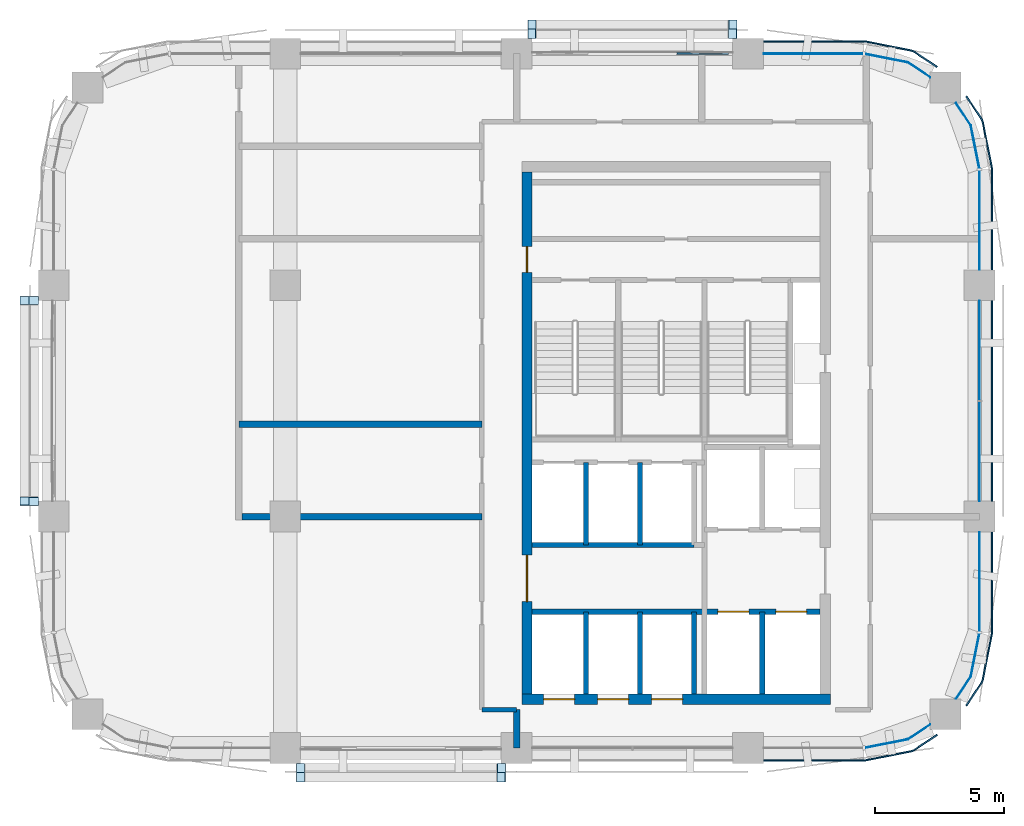
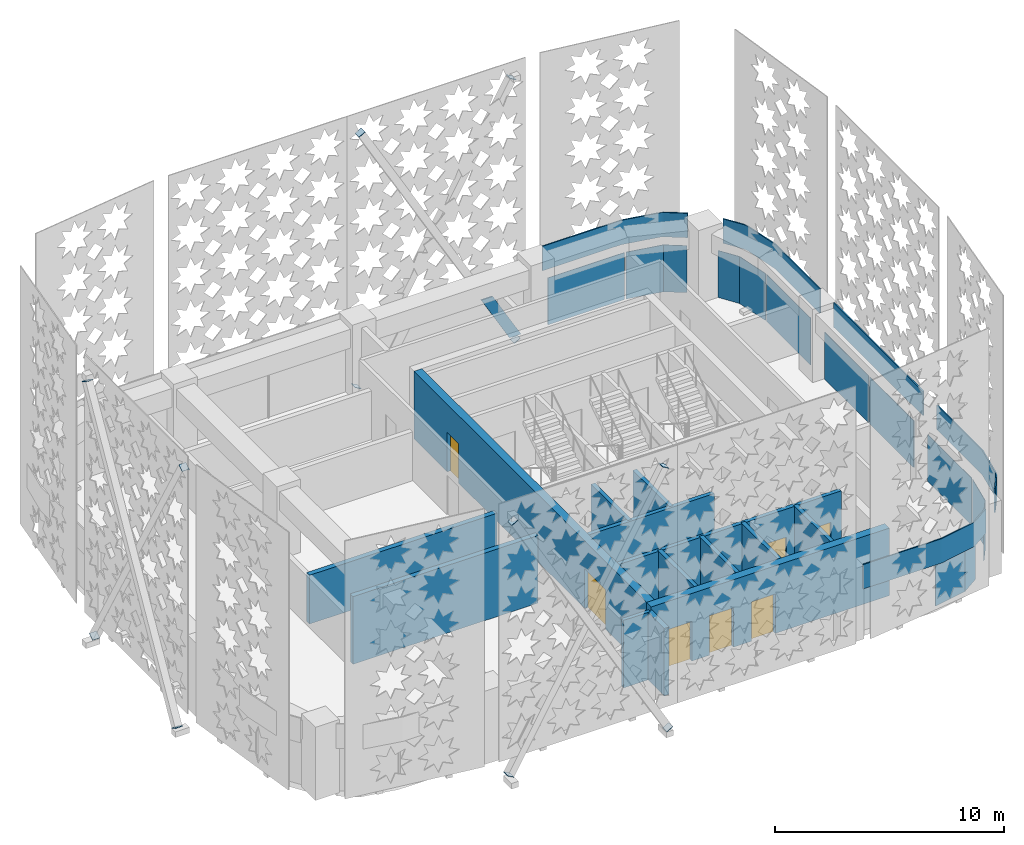
# One storey, part 7 of 17: 27 plates, 14 walls, 7 doors, 7 openings, 6 elements without a shape of their own.
"""IFC4 building model written with IfcOpenShell, lengths in metres."""

from ifc_helpers import new_model, si_unit, direction, frame, frame_2d, origin, origin_2d, place, context, subcontext, project, spatial, polyline, rectangle, outline, extrude, material, layer, layer_set, type_object, element, fill, aggregate, save


model = new_model("IFC4")

# Units and contexts
model_context = context("Model", 3, precision=1e-05, world=origin(), true_north=direction((0.0, 1.0)))
body_context = subcontext(model_context, "Body", "Model", "MODEL_VIEW")
ifc_project = project(units=[si_unit("LENGTHUNIT", "METRE"), si_unit("AREAUNIT", "SQUARE_METRE"), si_unit("VOLUMEUNIT", "CUBIC_METRE"), si_unit("PLANEANGLEUNIT", "RADIAN"), si_unit("MASSUNIT", "GRAM", prefix="KILO")], contexts=[model_context])

# Site, building, storey
site_placement = place(None, origin())
site = spatial("IfcSite", under=ifc_project, at=site_placement, CompositionType="ELEMENT")
building_placement = place(site_placement, origin())
building = spatial("IfcBuilding", under=site, at=building_placement, Name="Tessera Arch", CompositionType="ELEMENT")
storey_placement = place(building_placement, frame((0.0, 0.0, 281.300048828125)))
storey = spatial("IfcBuildingStorey", under=building, at=storey_placement, Name="L68", CompositionType="ELEMENT", Elevation=281.300048828125)

# Curtain wall, plates
ifc_material_1 = material(Name="CW1 curtain wall")
curtain_wall_type_1 = type_object("IfcCurtainWallType", Name="CW1 curtain wall", PredefinedType="NOTDEFINED", material=ifc_material_1)
curtain_wall_1_placement = place(storey_placement, origin())
curtain_wall_1 = element("IfcCurtainWall", 1, at=curtain_wall_1_placement, inside=storey, type_object=curtain_wall_type_1, Name="CW1 curtain wall E54.27/0 L68", PredefinedType="NOTDEFINED")
ifc_material_2 = material(Name="Clear low-e glass", Category="glass")
ifc_material_3 = material(Name="Clear low-e glass", Category="glass")
ifc_layer_1 = layer(ifc_material_3, 0.028076171875)
ifc_layer_set_1 = layer_set([ifc_layer_1], Name="CW1 glass panel")
plate_type_1 = type_object("IfcPlateType", Name="CW1 glass panel", PredefinedType="CURTAIN_PANEL", material=ifc_layer_set_1)
plate_1_placement = place(storey_placement, frame((54.0, 38.534912109375, 0.0), z_axis=(0.0, 0.0, 1.0), x_axis=(0.0, 1.0, 0.0)))
plate_1 = element("IfcPlate", 2, at=plate_1_placement, type_object=plate_type_1, material=ifc_material_2, Name="CW1 glass panel E54.27/0 1.1.1", PredefinedType="CURTAIN_PANEL", context=body_context, shape_type="SweptSolid", body=[
    extrude(rectangle(XDim=3.8701171875, YDim=0.028076171875, at=origin_2d()), origin(), (0.0, 0.0, 1.0), 2.5),
])
plate_2_placement = place(storey_placement, frame((54.0, 42.465087890625, 0.0), z_axis=(0.0, 0.0, 1.0), x_axis=(0.0, 1.0, 0.0)))
plate_2 = element("IfcPlate", 3, at=plate_2_placement, type_object=plate_type_1, material=ifc_material_2, Name="CW1 glass panel E54.27/0 1.2.1", PredefinedType="CURTAIN_PANEL", context=body_context, shape_type="SweptSolid", body=[
    extrude(rectangle(XDim=3.8701171875, YDim=0.028076171875, at=origin_2d()), origin(), (0.0, 0.0, 1.0), 2.5),
])
ifc_material_4 = material(Name="Pale anodised aluminium panel", Category="aluminium")
ifc_layer_2 = layer(ifc_material_4, 0.06005859375)
ifc_layer_set_2 = layer_set([ifc_layer_2], Name="CW1 spandrel panel")
plate_type_2 = type_object("IfcPlateType", Name="CW1 spandrel panel", PredefinedType="CURTAIN_PANEL", material=ifc_layer_set_2)
plate_3_placement = place(storey_placement, frame((54.47998046875, 40.5, 2.60009765625), z_axis=(0.0, 0.0, 1.0), x_axis=(0.0, 1.0, 0.0)))
plate_3 = element("IfcPlate", 4, at=plate_3_placement, type_object=plate_type_2, Name="CW1 spandrel panel E54.27/0", PredefinedType="CURTAIN_PANEL", context=body_context, shape_type="SweptSolid", body=[
    extrude(rectangle(XDim=7.800048828125, YDim=0.06005859375, at=origin_2d()), origin(), (0.0, 0.0, 1.0), 1.300048828125),
])
aggregate(curtain_wall_1, [plate_1, plate_2, plate_3])

ifc_material_5 = material(Name="CW2 curtain wall")
curtain_wall_type_2 = type_object("IfcCurtainWallType", Name="CW2 curtain wall", PredefinedType="NOTDEFINED", material=ifc_material_5)
curtain_wall_2_placement = place(storey_placement, origin())
curtain_wall_2 = element("IfcCurtainWall", 5, at=curtain_wall_2_placement, inside=storey, type_object=curtain_wall_type_2, Name="CW2 curtain wall E54.27/1 L68", PredefinedType="NOTDEFINED")
ifc_material_6 = material(Name="Clear low-e glass", Category="glass")
ifc_layer_3 = layer(ifc_material_6, 0.028076171875)
ifc_layer_set_3 = layer_set([ifc_layer_3], Name="CW2 glass panel")
plate_type_3 = type_object("IfcPlateType", Name="CW2 glass panel", PredefinedType="CURTAIN_PANEL", material=ifc_layer_set_3)
plate_4_placement = place(storey_placement, frame((54.0, 47.530029296875, 0.0), z_axis=(0.0, 0.0, 1.0), x_axis=(0.0, 1.0, 0.0)))
plate_4 = element("IfcPlate", 6, at=plate_4_placement, type_object=plate_type_3, material=ifc_material_2, Name="CW2 glass panel E54.27/1 1.1", PredefinedType="CURTAIN_PANEL", context=body_context, shape_type="SweptSolid", body=[
    extrude(rectangle(XDim=3.860107421875, YDim=0.028076171875, at=origin_2d()), origin(), (0.0, 0.0, 1.0), 2.5),
])
plate_5_placement = place(storey_placement, origin())
plate_5 = element("IfcPlate", 7, at=plate_5_placement, type_object=plate_type_3, material=ifc_material_2, Name="CW2 curved glass panel E54.27/1 2.1", PredefinedType="CURTAIN_PANEL", context=body_context, shape_type="SweptSolid", body=[
    extrude(outline(polyline([(53.644287109375, 51.216552734375), (53.978515625, 49.53662109375), (54.005859375, 49.5419921875), (53.670654296875, 51.2275390625), (53.094482421875, 52.08984375), (53.0712890625, 52.07421875), (53.644287109375, 51.216552734375)])), origin(), (0.0, 0.0, 1.0), 2.5),
])

curtain_wall_3_placement = place(storey_placement, origin())
curtain_wall_3 = element("IfcCurtainWall", 8, at=curtain_wall_3_placement, inside=storey, type_object=curtain_wall_type_2, Name="CW2 curtain wall N54.18/0 L68", PredefinedType="NOTDEFINED")
plate_6_placement = place(storey_placement, frame((47.530029296875, 54.0, 0.0), z_axis=(0.0, 0.0, 1.0), x_axis=(-1.0, 0.0, 0.0)))
plate_6 = element("IfcPlate", 9, at=plate_6_placement, type_object=plate_type_3, material=ifc_material_2, Name="CW2 glass panel N54.18/0 1.1", PredefinedType="CURTAIN_PANEL", context=body_context, shape_type="SweptSolid", body=[
    extrude(rectangle(XDim=3.860107421875, YDim=0.028076171875, at=origin_2d()), origin(), (0.0, 0.0, 1.0), 2.5),
])
plate_7_placement = place(storey_placement, origin())
plate_7 = element("IfcPlate", 10, at=plate_7_placement, type_object=plate_type_3, material=ifc_material_2, Name="CW2 curved glass panel N54.18/0 2.1", PredefinedType="CURTAIN_PANEL", context=body_context, shape_type="SweptSolid", body=[
    extrude(outline(polyline([(51.216552734375, 53.644287109375), (52.07421875, 53.0712890625), (52.08984375, 53.094482421875), (51.2275390625, 53.670654296875), (49.5419921875, 54.005859375), (49.53662109375, 53.978515625), (51.216552734375, 53.644287109375)])), origin(), (0.0, 0.0, 1.0), 2.5),
])

# Curtain wall, plate
curtain_wall_4_placement = place(storey_placement, origin())
curtain_wall_4 = element("IfcCurtainWall", 11, at=curtain_wall_4_placement, inside=storey, type_object=curtain_wall_type_2, Name="CW2 curtain wall S27.18/3 L68", PredefinedType="NOTDEFINED")
plate_8_placement = place(storey_placement, origin())
plate_8 = element("IfcPlate", 12, at=plate_8_placement, type_object=plate_type_3, material=ifc_material_2, Name="CW2 curved glass panel S27.18/3 2.1", PredefinedType="CURTAIN_PANEL", context=body_context, shape_type="SweptSolid", body=[
    extrude(outline(polyline([(51.216552734375, 27.355712890625), (49.53662109375, 27.021484375), (49.5419921875, 26.994140625), (51.2275390625, 27.329345703125), (52.08984375, 27.905517578125), (52.07421875, 27.9287109375), (51.216552734375, 27.355712890625)])), origin(), (0.0, 0.0, 1.0), 2.5),
])

# Curtain wall, plates
curtain_wall_5_placement = place(storey_placement, origin())
curtain_wall_5 = element("IfcCurtainWall", 13, at=curtain_wall_5_placement, inside=storey, type_object=curtain_wall_type_2, Name="CW2 curtain wall E54.27/2 L68", PredefinedType="NOTDEFINED")
plate_9_placement = place(storey_placement, frame((54.0, 33.469970703125, 0.0), z_axis=(0.0, 0.0, 1.0), x_axis=(0.0, 1.0, 0.0)))
plate_9 = element("IfcPlate", 14, at=plate_9_placement, type_object=plate_type_3, material=ifc_material_2, Name="CW2 glass panel E54.27/2 1.1", PredefinedType="CURTAIN_PANEL", context=body_context, shape_type="SweptSolid", body=[
    extrude(rectangle(XDim=3.860107421875, YDim=0.028076171875, at=origin_2d()), origin(), (0.0, 0.0, 1.0), 2.5),
])
plate_10_placement = place(storey_placement, origin())
plate_10 = element("IfcPlate", 15, at=plate_10_placement, type_object=plate_type_3, material=ifc_material_2, Name="CW2 curved glass panel E54.27/2 2.1", PredefinedType="CURTAIN_PANEL", context=body_context, shape_type="SweptSolid", body=[
    extrude(outline(polyline([(53.644287109375, 29.783447265625), (53.0712890625, 28.92578125), (53.094482421875, 28.91015625), (53.670654296875, 29.7724609375), (54.005859375, 31.4580078125), (53.978515625, 31.46337890625), (53.644287109375, 29.783447265625)])), origin(), (0.0, 0.0, 1.0), 2.5),
])

# Plate
ifc_material_7 = material(Name="Pale anodised aluminium panel", Category="aluminium")
ifc_layer_4 = layer(ifc_material_7, 0.06005859375)
ifc_layer_set_4 = layer_set([ifc_layer_4], Name="CW2 spandrel panel")
plate_type_4 = type_object("IfcPlateType", Name="CW2 spandrel panel", PredefinedType="CURTAIN_PANEL", material=ifc_layer_set_4)
plate_11_placement = place(storey_placement, frame((0.0, 0.0, 2.599853515625)))
plate_11 = element("IfcPlate", 16, at=plate_11_placement, type_object=plate_type_4, Name="CW2 spandrel panel E54.27/1", PredefinedType="CURTAIN_PANEL", context=body_context, shape_type="SweptSolid", body=[
    extrude(outline(polyline([(54.449951171875, 49.499267578125), (54.449951171875, 45.60009765625), (54.510009765625, 45.60009765625), (54.510009765625, 49.500732421875), (54.507568359375, 49.550048828125), (54.500244140625, 49.598876953125), (54.157470703125, 51.322265625), (54.1455078125, 51.3701171875), (54.128662109375, 51.417236328125), (54.107421875, 51.462646484375), (54.08203125, 51.5048828125), (53.5068359375, 52.365234375), (53.45703125, 52.33203125), (54.03125, 51.47265625), (54.054443359375, 51.434326171875), (54.0732421875, 51.394287109375), (54.088134765625, 51.352783203125), (54.09912109375, 51.30908203125), (54.441162109375, 49.588623046875), (54.44775390625, 49.544189453125), (54.449951171875, 49.499267578125)])), origin(), (0.0, 0.0, 1.0), 1.300048828125),
])

aggregate(curtain_wall_2, [plate_4, plate_5, plate_11])

plate_12_placement = place(storey_placement, frame((0.0, 0.0, 2.599853515625)))
plate_12 = element("IfcPlate", 17, at=plate_12_placement, type_object=plate_type_4, Name="CW2 spandrel panel N54.18/0", PredefinedType="CURTAIN_PANEL", context=body_context, shape_type="SweptSolid", body=[
    extrude(outline(polyline([(51.47265625, 54.03125), (52.33203125, 53.45703125), (52.365234375, 53.5068359375), (51.5048828125, 54.08203125), (51.462646484375, 54.107421875), (51.417236328125, 54.128662109375), (51.3701171875, 54.1455078125), (51.322265625, 54.157470703125), (49.598876953125, 54.500244140625), (49.550048828125, 54.507568359375), (49.500732421875, 54.510009765625), (45.60009765625, 54.510009765625), (45.60009765625, 54.449951171875), (49.499267578125, 54.449951171875), (49.544189453125, 54.44775390625), (49.588623046875, 54.441162109375), (51.30908203125, 54.09912109375), (51.352783203125, 54.088134765625), (51.394287109375, 54.0732421875), (51.434326171875, 54.054443359375), (51.47265625, 54.03125)])), origin(), (0.0, 0.0, 1.0), 1.300048828125),
])

aggregate(curtain_wall_3, [plate_6, plate_7, plate_12])

plate_13_placement = place(storey_placement, frame((0.0, 0.0, 2.599853515625)))
plate_13 = element("IfcPlate", 18, at=plate_13_placement, type_object=plate_type_4, Name="CW2 spandrel panel S27.18/3", PredefinedType="CURTAIN_PANEL", context=body_context, shape_type="SweptSolid", body=[
    extrude(outline(polyline([(49.499267578125, 26.550048828125), (45.60009765625, 26.550048828125), (45.60009765625, 26.489990234375), (49.500732421875, 26.489990234375), (49.550048828125, 26.492431640625), (49.598876953125, 26.499755859375), (51.322265625, 26.842529296875), (51.3701171875, 26.8544921875), (51.417236328125, 26.871337890625), (51.462646484375, 26.892578125), (51.5048828125, 26.91796875), (52.365234375, 27.4931640625), (52.33203125, 27.54296875), (51.47265625, 26.96875), (51.434326171875, 26.945556640625), (51.394287109375, 26.9267578125), (51.352783203125, 26.911865234375), (51.30908203125, 26.90087890625), (49.588623046875, 26.558837890625), (49.544189453125, 26.55224609375), (49.499267578125, 26.550048828125)])), origin(), (0.0, 0.0, 1.0), 1.300048828125),
])

aggregate(curtain_wall_4, [plate_8, plate_13])

plate_14_placement = place(storey_placement, frame((0.0, 0.0, 2.599853515625)))
plate_14 = element("IfcPlate", 19, at=plate_14_placement, type_object=plate_type_4, Name="CW2 spandrel panel E54.27/2", PredefinedType="CURTAIN_PANEL", context=body_context, shape_type="SweptSolid", body=[
    extrude(outline(polyline([(54.03125, 29.52734375), (53.45703125, 28.66796875), (53.5068359375, 28.634765625), (54.08203125, 29.4951171875), (54.107421875, 29.537353515625), (54.128662109375, 29.582763671875), (54.1455078125, 29.6298828125), (54.157470703125, 29.677734375), (54.500244140625, 31.401123046875), (54.507568359375, 31.449951171875), (54.510009765625, 31.499267578125), (54.510009765625, 35.39990234375), (54.449951171875, 35.39990234375), (54.449951171875, 31.500732421875), (54.44775390625, 31.455810546875), (54.441162109375, 31.411376953125), (54.09912109375, 29.69091796875), (54.088134765625, 29.647216796875), (54.0732421875, 29.605712890625), (54.054443359375, 29.565673828125), (54.03125, 29.52734375)])), origin(), (0.0, 0.0, 1.0), 1.300048828125),
])

aggregate(curtain_wall_5, [plate_9, plate_10, plate_14])

# Curtain wall, plate
ifc_material_8 = material(Name="CW3 curtain wall")
curtain_wall_type_3 = type_object("IfcCurtainWallType", Name="CW3 curtain wall", PredefinedType="NOTDEFINED", material=ifc_material_8)
curtain_wall_6_placement = place(storey_placement, origin())
curtain_wall_6 = element("IfcCurtainWall", 20, at=curtain_wall_6_placement, inside=storey, type_object=curtain_wall_type_3, Name="CW3 curtain wall N54.18/1 L68", PredefinedType="NOTDEFINED")
ifc_material_9 = material(Name="Pale anodised aluminium panel", Category="aluminium")
ifc_layer_5 = layer(ifc_material_9, 0.06005859375)
ifc_layer_set_5 = layer_set([ifc_layer_5], Name="CW3 diagonal panel")
plate_type_5 = type_object("IfcPlateType", Name="CW3 diagonal panel", PredefinedType="CURTAIN_PANEL", material=ifc_layer_set_5)
plate_15_placement = place(storey_placement, frame((42.230712890625, 54.030029296875, 2.5), z_axis=(0.0, 1.0, 0.0), x_axis=(1.0, 0.0, 0.0)))
plate_15 = element("IfcPlate", 21, at=plate_15_placement, type_object=plate_type_5, Name="CW3 diagonal panel N54.18/1 2", PredefinedType="CURTAIN_PANEL", context=body_context, shape_type="SweptSolid", body=[
    extrude(outline(polyline([(0.0, 0.0), (0.5810546875, 0.0), (2.00439453125, 2.5), (1.42333984375, 2.5), (0.0, 0.0)])), origin(), (0.0, 0.0, -1.0), 0.06005859375),
])
aggregate(curtain_wall_6, [plate_15])

# Plates
ifc_material_10 = material(Name="Steel A572 Gr50", Category="steel")
ifc_layer_6 = layer(ifc_material_10, 0.02490234375)
ifc_layer_set_6 = layer_set([ifc_layer_6], Name="End plate HSS14x14x1/2")
plate_type_6 = type_object("IfcPlateType", Name="End plate HSS14x14x1/2", PredefinedType="SHEET", material=ifc_layer_set_6)
for number, where, z_axis, x_axis, name in (
    (22, (44.412353515625, 54.77783203125, -0.82177734375), (-0.497188445666, 0.0, 0.867642581652), (0.0, -1.0, 0.0), "End plate HSS14x14x1/2 N54.18-1 A1 L68"),
    (23, (36.60009765625, 54.77783203125, 12.89990234375), (-0.497188445666, 0.0, 0.867642581652), (0.0, -1.0, 0.0), "End plate HSS14x14x1/2 N54.18-1 A2 L68"),
    (24, (36.587646484375, 55.13330078125, -0.82177734375), (0.497188445666, 0.0, 0.867642581652), (0.0, 1.0, 0.0), "End plate HSS14x14x1/2 N54.18-1 B1 L68"),
    (25, (44.39990234375, 55.13330078125, 12.89990234375), (0.497188445666, 0.0, 0.867642581652), (0.0, 1.0, 0.0), "End plate HSS14x14x1/2 N54.18-1 B2 L68"),
    (26, (17.22216796875, 44.412353515625, -0.82177734375), (0.0, -0.497188445666, 0.867642581652), (1.0, 0.0, 0.0), "End plate HSS14x14x1/2 W18.27-1 A1 L68"),
    (27, (17.22216796875, 36.60009765625, 12.89990234375), (0.0, -0.497188445666, 0.867642581652), (1.0, 0.0, 0.0), "End plate HSS14x14x1/2 W18.27-1 A2 L68"),
    (28, (16.86669921875, 36.587646484375, -0.82177734375), (0.0, 0.497188445666, 0.867642581652), (-1.0, 0.0, 0.0), "End plate HSS14x14x1/2 W18.27-1 B1 L68"),
    (29, (16.86669921875, 44.39990234375, 12.89990234375), (0.0, 0.497188445666, 0.867642581652), (-1.0, 0.0, 0.0), "End plate HSS14x14x1/2 W18.27-1 B2 L68"),
    (30, (27.587646484375, 26.22216796875, -0.82177734375), (0.497188445666, 0.0, 0.867642581652), (0.0, 1.0, 0.0), "End plate HSS14x14x1/2 S27.18-1 A1 L68"),
    (31, (35.39990234375, 26.22216796875, 12.89990234375), (0.497188445666, 0.0, 0.867642581652), (0.0, 1.0, 0.0), "End plate HSS14x14x1/2 S27.18-1 A2 L68"),
    (32, (35.412353515625, 25.86669921875, -0.82177734375), (-0.497188445666, 0.0, 0.867642581652), (0.0, -1.0, 0.0), "End plate HSS14x14x1/2 S27.18-1 B1 L68"),
    (33, (27.60009765625, 25.86669921875, 12.89990234375), (-0.497188445666, 0.0, 0.867642581652), (0.0, -1.0, 0.0), "End plate HSS14x14x1/2 S27.18-1 B2 L68"),
):
    element("IfcPlate", number, at=place(storey_placement, frame(where, z_axis=z_axis, x_axis=x_axis)), inside=storey, type_object=plate_type_6, Name=name, PredefinedType="SHEET", context=body_context, shape_type="SweptSolid", body=[
        extrude(rectangle(XDim=0.355712890625, YDim=0.355712890625, at=origin_2d()), origin(), (0.0, 0.0, 1.0), 0.025146484375),
    ])

# Wall, openings, doors
ifc_material_11 = material(Name="Concrete C50/60", Category="concrete")
ifc_layer_7 = layer(ifc_material_11, 0.39990234375)
ifc_layer_set_7 = layer_set([ifc_layer_7], Name="Core shell wall 400 C50-60")
wall_type_1 = type_object("IfcWallType", Name="Core shell wall 400 C50-60", PredefinedType="SHEAR", material=ifc_layer_set_7)
wall_1_placement = place(storey_placement, frame((36.199951171875, 28.89990234375, 0.0), z_axis=(0.0, 0.0, 1.0), x_axis=(1.0, 0.0, 0.0)))
wall_1 = element("IfcWall", 34, at=wall_1_placement, inside=storey, type_object=wall_type_1, Name="L68 C1 core wall S", PredefinedType="SHEAR", context=body_context, shape_type="SweptSolid", body=[
    extrude(rectangle(XDim=12.0, YDim=0.39990234375, at=frame_2d((6.0, 0.0))), origin(), (0.0, 0.0, 1.0), 3.599853515625),
])
opening_1_placement = place(wall_1_placement, frame((0.85009765625, 0.0, 0.0)))
opening_1 = element("IfcOpeningElement", 35, at=opening_1_placement, cuts=wall_1, Name="Opening L68-C01", PredefinedType="OPENING", context=body_context, shape_type="SweptSolid", body=[
    extrude(rectangle(XDim=1.199951171875, YDim=2.10009765625, at=frame_2d((0.60009765625, 1.050048828125))), frame((0.0, 0.2099609375, 0.0), z_axis=(0.0, -1.0, 0.0), x_axis=(1.0, 0.0, 0.0)), (0.0, 0.0, 1.0), 0.419921875),
])
opening_2_placement = place(wall_1_placement, frame((2.949951171875, 0.0, 0.0)))
opening_2 = element("IfcOpeningElement", 36, at=opening_2_placement, cuts=wall_1, Name="Opening L68-C03", PredefinedType="OPENING", context=body_context, shape_type="SweptSolid", body=[
    extrude(rectangle(XDim=1.199951171875, YDim=2.10009765625, at=frame_2d((0.60009765625, 1.050048828125))), frame((0.0, 0.2099609375, 0.0), z_axis=(0.0, -1.0, 0.0), x_axis=(1.0, 0.0, 0.0)), (0.0, 0.0, 1.0), 0.419921875),
])
opening_3_placement = place(wall_1_placement, frame((5.050048828125, 0.0, 0.0)))
opening_3 = element("IfcOpeningElement", 37, at=opening_3_placement, cuts=wall_1, Name="Opening L68-C05", PredefinedType="OPENING", context=body_context, shape_type="SweptSolid", body=[
    extrude(rectangle(XDim=1.199951171875, YDim=2.10009765625, at=frame_2d((0.60009765625, 1.050048828125))), frame((0.0, 0.2099609375, 0.0), z_axis=(0.0, -1.0, 0.0), x_axis=(1.0, 0.0, 0.0)), (0.0, 0.0, 1.0), 0.419921875),
])
ifc_material_12 = material(Name="Stainless steel AISI 304", Category="steel")
door_type_1 = type_object("IfcDoorType", Name="Sliding landing door 1200 x 2100", OperationType="SLIDING_TO_LEFT", PredefinedType="DOOR", material=ifc_material_12)
door_1_placement = place(opening_1_placement, origin())
door_1 = element("IfcDoor", 38, at=door_1_placement, inside=storey, type_object=door_type_1, Name="L68 HR1 lift landing door C01 type LD", OperationType="SLIDING_TO_LEFT", OverallHeight=2.10009765625, OverallWidth=1.199951171875, PredefinedType="DOOR", context=body_context, shape_type="SweptSolid", body=[
    extrude(rectangle(XDim=1.199951171875, YDim=2.10009765625, at=frame_2d((0.60009765625, 1.050048828125))), frame((0.0, 0.02490234375, 0.0), z_axis=(0.0, -1.0, 0.0), x_axis=(1.0, 0.0, 0.0)), (0.0, 0.0, 1.0), 0.050048828125),
])
fill(opening_1, door_1)
door_2_placement = place(opening_2_placement, origin())
door_2 = element("IfcDoor", 39, at=door_2_placement, inside=storey, type_object=door_type_1, Name="L68 HR2 lift landing door C03 type LD", OperationType="SLIDING_TO_LEFT", OverallHeight=2.10009765625, OverallWidth=1.199951171875, PredefinedType="DOOR", context=body_context, shape_type="SweptSolid", body=[
    extrude(rectangle(XDim=1.199951171875, YDim=2.10009765625, at=frame_2d((0.60009765625, 1.050048828125))), frame((0.0, 0.02490234375, 0.0), z_axis=(0.0, -1.0, 0.0), x_axis=(1.0, 0.0, 0.0)), (0.0, 0.0, 1.0), 0.050048828125),
])
fill(opening_2, door_2)
door_3_placement = place(opening_3_placement, origin())
door_3 = element("IfcDoor", 40, at=door_3_placement, inside=storey, type_object=door_type_1, Name="L68 HR3 lift landing door C05 type LD", OperationType="SLIDING_TO_LEFT", OverallHeight=2.10009765625, OverallWidth=1.199951171875, PredefinedType="DOOR", context=body_context, shape_type="SweptSolid", body=[
    extrude(rectangle(XDim=1.199951171875, YDim=2.10009765625, at=frame_2d((0.60009765625, 1.050048828125))), frame((0.0, 0.02490234375, 0.0), z_axis=(0.0, -1.0, 0.0), x_axis=(1.0, 0.0, 0.0)), (0.0, 0.0, 1.0), 0.050048828125),
])
fill(opening_3, door_3)

wall_2_placement = place(storey_placement, frame((36.39990234375, 29.10009765625, 0.0), z_axis=(0.0, 0.0, 1.0), x_axis=(0.0, 1.0, 0.0)))
wall_2 = element("IfcWall", 41, at=wall_2_placement, inside=storey, type_object=wall_type_1, Name="L68 C1 core wall W", PredefinedType="SHEAR", context=body_context, shape_type="SweptSolid", body=[
    extrude(rectangle(XDim=20.2998046875, YDim=0.39990234375, at=frame_2d((10.14990234375, 0.0))), origin(), (0.0, 0.0, 1.0), 3.599853515625),
])
opening_4_placement = place(wall_2_placement, frame((3.60009765625, 0.0, 0.0)))
opening_4 = element("IfcOpeningElement", 42, at=opening_4_placement, cuts=wall_2, Name="Opening L68-C10", PredefinedType="OPENING", context=body_context, shape_type="SweptSolid", body=[
    extrude(rectangle(XDim=1.800048828125, YDim=2.10009765625, at=frame_2d((0.89990234375, 1.050048828125))), frame((0.0, 0.2099609375, 0.0), z_axis=(0.0, -1.0, 0.0), x_axis=(1.0, 0.0, 0.0)), (0.0, 0.0, 1.0), 0.419921875),
])
opening_5_placement = place(wall_2_placement, frame((16.39990234375, 0.0, 0.0)))
opening_5 = element("IfcOpeningElement", 43, at=opening_5_placement, cuts=wall_2, Name="Opening L68-C17", PredefinedType="OPENING", context=body_context, shape_type="SweptSolid", body=[
    extrude(rectangle(XDim=1.0, YDim=2.10009765625, at=frame_2d((0.5, 1.050048828125))), frame((0.0, 0.2099609375, 0.0), z_axis=(0.0, -1.0, 0.0), x_axis=(1.0, 0.0, 0.0)), (0.0, 0.0, 1.0), 0.419921875),
])
ifc_material_13 = material(Name="Steel door leaf", Category="steel")
door_type_2 = type_object("IfcDoorType", Name="Corridor door FD60 1000 x 2100", OperationType="SINGLE_SWING_LEFT", PredefinedType="DOOR", material=ifc_material_13)
door_4_placement = place(opening_5_placement, origin())
door_4 = element("IfcDoor", 44, at=door_4_placement, inside=storey, type_object=door_type_2, Name="L68 C1 door 17 C17 type D12", OperationType="SINGLE_SWING_RIGHT", OverallHeight=2.10009765625, OverallWidth=1.0, PredefinedType="DOOR", context=body_context, shape_type="SweptSolid", body=[
    extrude(rectangle(XDim=1.0, YDim=2.10009765625, at=frame_2d((0.5, 1.050048828125))), frame((0.0, 0.02490234375, 0.0), z_axis=(0.0, -1.0, 0.0), x_axis=(1.0, 0.0, 0.0)), (0.0, 0.0, 1.0), 0.050048828125),
])
fill(opening_5, door_4)
ifc_material_14 = material(Name="Glazed steel door leaf", Category="steel")
door_type_3 = type_object("IfcDoorType", Name="Lobby double door FD30S 1800 x 2100", OperationType="DOUBLE_DOOR_SINGLE_SWING", PredefinedType="DOOR", material=ifc_material_14)
door_5_placement = place(opening_4_placement, origin())
door_5 = element("IfcDoor", 45, at=door_5_placement, inside=storey, type_object=door_type_3, Name="L68 C1 door 10 C10 type D06", OperationType="DOUBLE_DOOR_SINGLE_SWING", OverallHeight=2.10009765625, OverallWidth=1.800048828125, PredefinedType="DOOR", context=body_context, shape_type="SweptSolid", body=[
    extrude(rectangle(XDim=1.800048828125, YDim=2.10009765625, at=frame_2d((0.89990234375, 1.050048828125))), frame((0.0, 0.02490234375, 0.0), z_axis=(0.0, -1.0, 0.0), x_axis=(1.0, 0.0, 0.0)), (0.0, 0.0, 1.0), 0.050048828125),
])
fill(opening_4, door_5)

# Walls
ifc_material_15 = material(Name="Gypsum board on deep steel stud with mineral wool", Category="steel")
ifc_layer_8 = layer(ifc_material_15, 0.175048828125)
ifc_layer_set_8 = layer_set([ifc_layer_8], Name="Corridor wall 175 EI 60")
wall_type_2 = type_object("IfcWallType", Name="Corridor wall 175 EI 60", PredefinedType="PARTITIONING", material=ifc_layer_set_8)
wall_3_placement = place(storey_placement, frame((34.64990234375, 28.5, 0.0), z_axis=(0.0, 0.0, 1.0), x_axis=(1.0, 0.0, 0.0)))
element("IfcWall", 46, at=wall_3_placement, inside=storey, type_object=wall_type_2, Name="L68 partition 1", PredefinedType="PARTITIONING", context=body_context, shape_type="SweptSolid", body=[
    extrude(rectangle(XDim=1.35009765625, YDim=0.175048828125, at=frame_2d((0.675048828125, 0.0))), origin(), (0.0, 0.0, 1.0), 3.599853515625),
])
ifc_material_16 = material(Name="Double gypsum board on twin steel stud with acoustic mineral wool", Category="steel")
ifc_layer_9 = layer(ifc_material_16, 0.25)
ifc_layer_set_9 = layer_set([ifc_layer_9], Name="Party wall 250 EI 60")
wall_type_3 = type_object("IfcWallType", Name="Party wall 250 EI 60", PredefinedType="PARTITIONING", material=ifc_layer_set_9)
wall_4_placement = place(storey_placement, frame((25.324951171875, 36.0, 0.0), z_axis=(0.0, 0.0, 1.0), x_axis=(1.0, 0.0, 0.0)))
element("IfcWall", 47, at=wall_4_placement, inside=storey, type_object=wall_type_3, Name="L68 partition 6", PredefinedType="PARTITIONING", context=body_context, shape_type="SweptSolid", body=[
    extrude(rectangle(XDim=9.324951171875, YDim=0.25, at=frame_2d((4.66259765625, 0.0))), origin(), (0.0, 0.0, 1.0), 3.599853515625),
])
wall_5_placement = place(storey_placement, frame((25.199951171875, 39.60009765625, 0.0), z_axis=(0.0, 0.0, 1.0), x_axis=(1.0, 0.0, 0.0)))
element("IfcWall", 48, at=wall_5_placement, inside=storey, type_object=wall_type_3, Name="L68 partition 8", PredefinedType="PARTITIONING", context=body_context, shape_type="SweptSolid", body=[
    extrude(rectangle(XDim=9.449951171875, YDim=0.25, at=frame_2d((4.72509765625, 0.0))), origin(), (0.0, 0.0, 1.0), 2.599853515625),
])
wall_6_placement = place(storey_placement, frame((36.0, 27.0, 0.0), z_axis=(0.0, 0.0, 1.0), x_axis=(0.0, 1.0, 0.0)))
element("IfcWall", 49, at=wall_6_placement, inside=storey, type_object=wall_type_3, Name="L68 partition 13", PredefinedType="PARTITIONING", context=body_context, shape_type="SweptSolid", body=[
    extrude(rectangle(XDim=1.5, YDim=0.25, at=frame_2d((0.75, 0.0))), origin(), (0.0, 0.0, 1.0), 3.599853515625),
])
ifc_material_17 = material(Name="Concrete C40/50", Category="concrete")
ifc_layer_10 = layer(ifc_material_17, 0.199951171875)
ifc_layer_set_10 = layer_set([ifc_layer_10], Name="Shaft wall 200 EI 120")
wall_type_4 = type_object("IfcWallType", Name="Shaft wall 200 EI 120", PredefinedType="SOLIDWALL", material=ifc_layer_set_10)
wall_7_placement = place(storey_placement, frame((38.699951171875, 29.10009765625, 0.0), z_axis=(0.0, 0.0, 1.0), x_axis=(0.0, 1.0, 0.0)))
element("IfcWall", 50, at=wall_7_placement, inside=storey, type_object=wall_type_4, Name="L68 C1 shaft wall 1", PredefinedType="SOLIDWALL", context=body_context, shape_type="SweptSolid", body=[
    extrude(rectangle(XDim=3.199951171875, YDim=0.199951171875, at=frame_2d((1.60009765625, 0.0))), origin(), (0.0, 0.0, 1.0), 3.599853515625),
])
wall_8_placement = place(storey_placement, frame((38.699951171875, 34.89990234375, 0.0), z_axis=(0.0, 0.0, 1.0), x_axis=(0.0, 1.0, 0.0)))
element("IfcWall", 51, at=wall_8_placement, inside=storey, type_object=wall_type_4, Name="L68 C1 shaft wall 2", PredefinedType="SOLIDWALL", context=body_context, shape_type="SweptSolid", body=[
    extrude(rectangle(XDim=3.2001953125, YDim=0.199951171875, at=frame_2d((1.60009765625, 0.0))), origin(), (0.0, 0.0, 1.0), 3.599853515625),
])
wall_9_placement = place(storey_placement, frame((40.800048828125, 29.10009765625, 0.0), z_axis=(0.0, 0.0, 1.0), x_axis=(0.0, 1.0, 0.0)))
element("IfcWall", 52, at=wall_9_placement, inside=storey, type_object=wall_type_4, Name="L68 C1 shaft wall 5", PredefinedType="SOLIDWALL", context=body_context, shape_type="SweptSolid", body=[
    extrude(rectangle(XDim=3.199951171875, YDim=0.199951171875, at=frame_2d((1.60009765625, 0.0))), origin(), (0.0, 0.0, 1.0), 3.599853515625),
])
wall_10_placement = place(storey_placement, frame((40.800048828125, 34.89990234375, 0.0), z_axis=(0.0, 0.0, 1.0), x_axis=(0.0, 1.0, 0.0)))
element("IfcWall", 53, at=wall_10_placement, inside=storey, type_object=wall_type_4, Name="L68 C1 shaft wall 6", PredefinedType="SOLIDWALL", context=body_context, shape_type="SweptSolid", body=[
    extrude(rectangle(XDim=3.2001953125, YDim=0.199951171875, at=frame_2d((1.60009765625, 0.0))), origin(), (0.0, 0.0, 1.0), 3.599853515625),
])
for number, where, z_axis, x_axis, name in (
    (54, (42.89990234375, 29.10009765625, 0.0), (0.0, 0.0, 1.0), (0.0, 1.0, 0.0), "L68 C1 shaft wall 7"),
    (55, (45.550048828125, 29.10009765625, 0.0), (0.0, 0.0, 1.0), (0.0, 1.0, 0.0), "L68 C1 shaft wall 12"),
):
    element("IfcWall", number, at=place(storey_placement, frame(where, z_axis=z_axis, x_axis=x_axis)), inside=storey, type_object=wall_type_4, Name=name, PredefinedType="SOLIDWALL", context=body_context, shape_type="SweptSolid", body=[
        extrude(rectangle(XDim=3.199951171875, YDim=0.199951171875, at=frame_2d((1.60009765625, 0.0))), origin(), (0.0, 0.0, 1.0), 3.599853515625),
    ])

# Wall, openings, doors
wall_11_placement = place(storey_placement, frame((36.60009765625, 32.300048828125, 0.0), z_axis=(0.0, 0.0, 1.0), x_axis=(1.0, 0.0, 0.0)))
wall_11 = element("IfcWall", 56, at=wall_11_placement, inside=storey, type_object=wall_type_4, Name="L68 C1 shaft wall 17", PredefinedType="SOLIDWALL", context=body_context, shape_type="SweptSolid", body=[
    extrude(rectangle(XDim=11.199951171875, YDim=0.199951171875, at=frame_2d((5.60009765625, 0.0))), origin(), (0.0, 0.0, 1.0), 3.599853515625),
])
opening_6_placement = place(wall_11_placement, frame((7.22509765625, 0.0, 0.0)))
opening_6 = element("IfcOpeningElement", 57, at=opening_6_placement, cuts=wall_11, Name="Opening L68-C07", PredefinedType="OPENING", context=body_context, shape_type="SweptSolid", body=[
    extrude(rectangle(XDim=1.199951171875, YDim=2.10009765625, at=frame_2d((0.60009765625, 1.050048828125))), frame((0.0, 0.10986328125, 0.0), z_axis=(0.0, -1.0, 0.0), x_axis=(1.0, 0.0, 0.0)), (0.0, 0.0, 1.0), 0.219970703125),
])
opening_7_placement = place(wall_11_placement, frame((9.47509765625, 0.0, 0.0)))
opening_7 = element("IfcOpeningElement", 58, at=opening_7_placement, cuts=wall_11, Name="Opening L68-C08", PredefinedType="OPENING", context=body_context, shape_type="SweptSolid", body=[
    extrude(rectangle(XDim=1.199951171875, YDim=2.10009765625, at=frame_2d((0.60009765625, 1.050048828125))), frame((0.0, 0.10986328125, 0.0), z_axis=(0.0, -1.0, 0.0), x_axis=(1.0, 0.0, 0.0)), (0.0, 0.0, 1.0), 0.219970703125),
])
door_6_placement = place(opening_6_placement, origin())
door_6 = element("IfcDoor", 59, at=door_6_placement, inside=storey, type_object=door_type_1, Name="L68 FF1 lift landing door C07 type LD", OperationType="SLIDING_TO_LEFT", OverallHeight=2.10009765625, OverallWidth=1.199951171875, PredefinedType="DOOR", context=body_context, shape_type="SweptSolid", body=[
    extrude(rectangle(XDim=1.199951171875, YDim=2.10009765625, at=frame_2d((0.60009765625, 1.050048828125))), frame((0.0, 0.02490234375, 0.0), z_axis=(0.0, -1.0, 0.0), x_axis=(1.0, 0.0, 0.0)), (0.0, 0.0, 1.0), 0.050048828125),
])
fill(opening_6, door_6)
door_7_placement = place(opening_7_placement, origin())
door_7 = element("IfcDoor", 60, at=door_7_placement, inside=storey, type_object=door_type_1, Name="L68 FF2 lift landing door C08 type LD", OperationType="SLIDING_TO_LEFT", OverallHeight=2.10009765625, OverallWidth=1.199951171875, PredefinedType="DOOR", context=body_context, shape_type="SweptSolid", body=[
    extrude(rectangle(XDim=1.199951171875, YDim=2.10009765625, at=frame_2d((0.60009765625, 1.050048828125))), frame((0.0, 0.02490234375, 0.0), z_axis=(0.0, -1.0, 0.0), x_axis=(1.0, 0.0, 0.0)), (0.0, 0.0, 1.0), 0.050048828125),
])
fill(opening_7, door_7)

# Wall
wall_12_placement = place(storey_placement, frame((36.60009765625, 34.89990234375, 0.0), z_axis=(0.0, 0.0, 1.0), x_axis=(1.0, 0.0, 0.0)))
element("IfcWall", 61, at=wall_12_placement, inside=storey, type_object=wall_type_4, Name="L68 C1 shaft wall 19", PredefinedType="SOLIDWALL", context=body_context, shape_type="SweptSolid", body=[
    extrude(rectangle(XDim=6.2998046875, YDim=0.199951171875, at=frame_2d((3.14990234375, 0.0))), origin(), (0.0, 0.0, 1.0), 3.599853515625),
])

save(model, "model.ifc")
